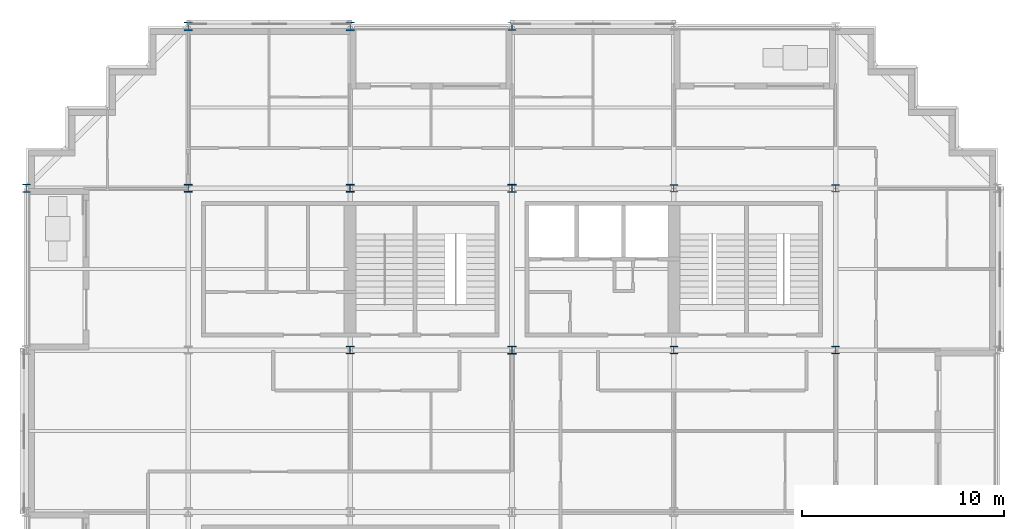
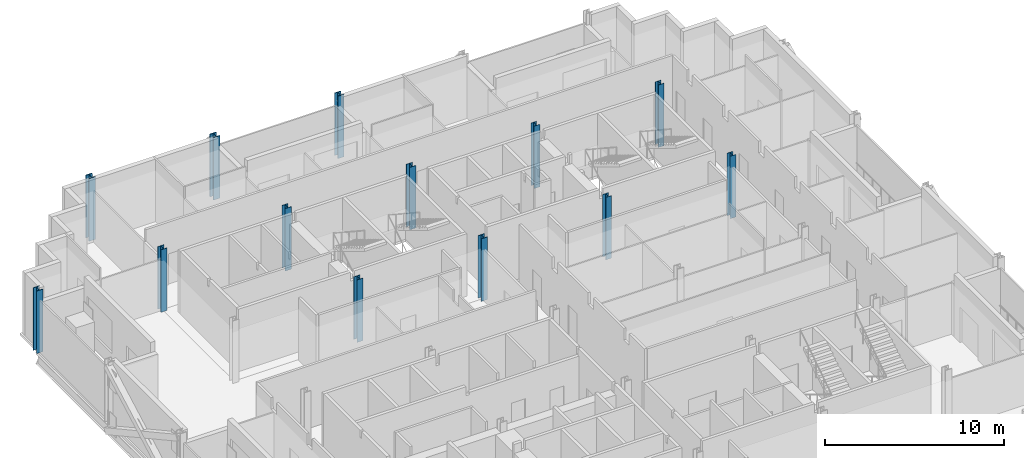
# One storey, part 2 of 15: 13 columns.
"""IFC4 building model written with IfcOpenShell, lengths in metres."""

from ifc_helpers import new_model, si_unit, direction, frame, origin, origin_2d, place, context, subcontext, project, spatial, i_section, extrude, material, material_profile, profile_set, type_object, element, save


model = new_model("IFC4")

# Units and contexts
model_context = context("Model", 3, precision=1e-05, world=origin(), true_north=direction((0.0, 1.0)))
body_context = subcontext(model_context, "Body", "Model", "MODEL_VIEW")
ifc_project = project(units=[si_unit("LENGTHUNIT", "METRE"), si_unit("AREAUNIT", "SQUARE_METRE"), si_unit("VOLUMEUNIT", "CUBIC_METRE"), si_unit("PLANEANGLEUNIT", "RADIAN"), si_unit("MASSUNIT", "GRAM", prefix="KILO")], contexts=[model_context])

# Site, building, storey
site_placement = place(None, origin())
site = spatial("IfcSite", under=ifc_project, at=site_placement, CompositionType="ELEMENT")
building_placement = place(site_placement, origin())
building = spatial("IfcBuilding", under=site, at=building_placement, Name="Immortelle Media Tower", CompositionType="ELEMENT")
storey_placement = place(building_placement, frame((0.0, 0.0, 65.60009765625)))
storey = spatial("IfcBuildingStorey", under=building, at=storey_placement, Name="L11", CompositionType="ELEMENT", Elevation=65.60009765625)

# Columns
ifc_material = material(Name="Steel ASTM A992 Gr 50", Category="steel")
ifc_material_profile_1 = material_profile(ifc_material, i_section(OverallWidth=0.39404296875, OverallDepth=0.3759765625, WebThickness=0.01708984375, FlangeThickness=0.028076171875, at=origin_2d()), Name="W14x145")
ifc_profile_set_1 = profile_set([ifc_material_profile_1], Name="Steel ASTM A992 Gr 50")
column_type_1 = type_object("IfcColumnType", Name="W14x145 column", PredefinedType="COLUMN", material=ifc_profile_set_1)
for number, where, z_axis, x_axis, name in (
    (1, (8.0, 40.0, 0.0), (0.0, 0.0, 1.0), (1.0, 0.0, 0.0), "Column 2/F"),
    (2, (16.0, 32.0, 0.0), (0.0, 0.0, 1.0), (1.0, 0.0, 0.0), "Column 3/E"),
    (3, (16.0, 40.0, 0.0), (0.0, 0.0, 1.0), (1.0, 0.0, 0.0), "Column 3/F"),
):
    element("IfcColumn", number, at=place(storey_placement, frame(where, z_axis=z_axis, x_axis=x_axis)), inside=storey, type_object=column_type_1, Name=name, PredefinedType="COLUMN", context=body_context, shape_type="SweptSolid", body=[
        extrude(i_section(OverallWidth=0.39404296875, OverallDepth=0.3759765625, WebThickness=0.01708984375, FlangeThickness=0.028076171875, at=origin_2d()), origin(), (0.0, 0.0, 1.0), 4.25),
    ])
ifc_material_profile_2 = material_profile(ifc_material, i_section(OverallWidth=0.39892578125, OverallDepth=0.385986328125, WebThickness=0.02099609375, FlangeThickness=0.032958984375, at=origin_2d()), Name="W14x176")
ifc_profile_set_2 = profile_set([ifc_material_profile_2], Name="Steel ASTM A992 Gr 50")
column_type_2 = type_object("IfcColumnType", Name="W14x176 column", PredefinedType="COLUMN", material=ifc_profile_set_2)
for number, where, z_axis, x_axis, name in (
    (4, (24.0, 32.0, 0.0), (0.0, 0.0, 1.0), (1.0, 0.0, 0.0), "Column 4/E"),
    (5, (24.0, 40.0, 0.0), (0.0, 0.0, 1.0), (1.0, 0.0, 0.0), "Column 4/F"),
):
    element("IfcColumn", number, at=place(storey_placement, frame(where, z_axis=z_axis, x_axis=x_axis)), inside=storey, type_object=column_type_2, Name=name, PredefinedType="COLUMN", context=body_context, shape_type="SweptSolid", body=[
        extrude(i_section(OverallWidth=0.39892578125, OverallDepth=0.385986328125, WebThickness=0.02099609375, FlangeThickness=0.032958984375, at=origin_2d()), origin(), (0.0, 0.0, 1.0), 4.25),
    ])
ifc_material_profile_3 = material_profile(ifc_material, i_section(OverallWidth=0.40087890625, OverallDepth=0.39892578125, WebThickness=0.02490234375, FlangeThickness=0.0400390625, at=origin_2d()), Name="W14x211")
ifc_profile_set_3 = profile_set([ifc_material_profile_3], Name="Steel ASTM A992 Gr 50")
column_type_3 = type_object("IfcColumnType", Name="W14x211 column", PredefinedType="COLUMN", material=ifc_profile_set_3)
for number, where, z_axis, x_axis, name in (
    (6, (0.0, 40.0, 0.0), (0.0, 0.0, 1.0), (1.0, 0.0, 0.0), "Column 1/F"),
    (7, (24.0, 48.0, 0.0), (0.0, 0.0, 1.0), (1.0, 0.0, 0.0), "Column 4/G"),
):
    element("IfcColumn", number, at=place(storey_placement, frame(where, z_axis=z_axis, x_axis=x_axis)), inside=storey, type_object=column_type_3, Name=name, PredefinedType="COLUMN", context=body_context, shape_type="SweptSolid", body=[
        extrude(i_section(OverallWidth=0.40087890625, OverallDepth=0.39892578125, WebThickness=0.02490234375, FlangeThickness=0.0400390625, at=origin_2d()), origin(), (0.0, 0.0, 1.0), 4.25),
    ])
ifc_material_profile_4 = material_profile(ifc_material, i_section(OverallWidth=0.410888671875, OverallDepth=0.43408203125, WebThickness=0.035888671875, FlangeThickness=0.056884765625, at=origin_2d()), Name="W14x311")
ifc_profile_set_4 = profile_set([ifc_material_profile_4], Name="Steel ASTM A992 Gr 50")
column_type_4 = type_object("IfcColumnType", Name="W14x311 column", PredefinedType="COLUMN", material=ifc_profile_set_4)
for number, where, z_axis, x_axis, name in (
    (8, (8.0, 48.0, 0.0), (0.0, 0.0, 1.0), (1.0, 0.0, 0.0), "Column 2/G"),
    (9, (16.0, 48.0, 0.0), (0.0, 0.0, 1.0), (1.0, 0.0, 0.0), "Column 3/G"),
):
    element("IfcColumn", number, at=place(storey_placement, frame(where, z_axis=z_axis, x_axis=x_axis)), inside=storey, type_object=column_type_4, Name=name, PredefinedType="COLUMN", context=body_context, shape_type="SweptSolid", body=[
        extrude(i_section(OverallWidth=0.410888671875, OverallDepth=0.43408203125, WebThickness=0.035888671875, FlangeThickness=0.056884765625, at=origin_2d()), origin(), (0.0, 0.0, 1.0), 4.25),
    ])
ifc_material_profile_5 = material_profile(ifc_material, i_section(OverallWidth=0.37109375, OverallDepth=0.361083984375, WebThickness=0.011962890625, FlangeThickness=0.02001953125, at=origin_2d()), Name="W14x99")
ifc_profile_set_5 = profile_set([ifc_material_profile_5], Name="Steel ASTM A992 Gr 50")
column_type_5 = type_object("IfcColumnType", Name="W14x99 column", PredefinedType="COLUMN", material=ifc_profile_set_5)
for number, where, z_axis, x_axis, name in (
    (10, (32.0, 32.0, 0.0), (0.0, 0.0, 1.0), (1.0, 0.0, 0.0), "Column 5/E"),
    (11, (32.0, 40.0, 0.0), (0.0, 0.0, 1.0), (1.0, 0.0, 0.0), "Column 5/F"),
    (12, (40.0, 32.0, 0.0), (0.0, 0.0, 1.0), (1.0, 0.0, 0.0), "Column 6/E"),
    (13, (40.0, 40.0, 0.0), (0.0, 0.0, 1.0), (1.0, 0.0, 0.0), "Column 6/F"),
):
    element("IfcColumn", number, at=place(storey_placement, frame(where, z_axis=z_axis, x_axis=x_axis)), inside=storey, type_object=column_type_5, Name=name, PredefinedType="COLUMN", context=body_context, shape_type="SweptSolid", body=[
        extrude(i_section(OverallWidth=0.37109375, OverallDepth=0.361083984375, WebThickness=0.011962890625, FlangeThickness=0.02001953125, at=origin_2d()), origin(), (0.0, 0.0, 1.0), 4.25),
    ])

save(model, "model.ifc")
